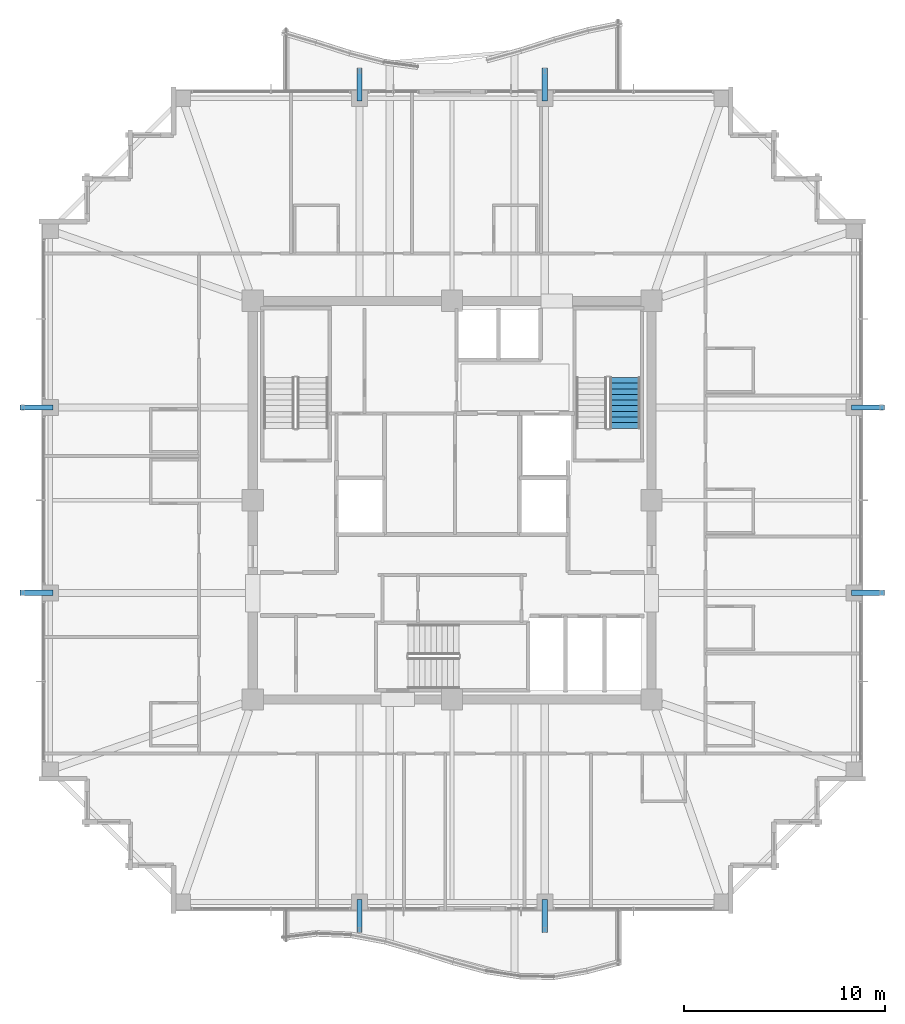
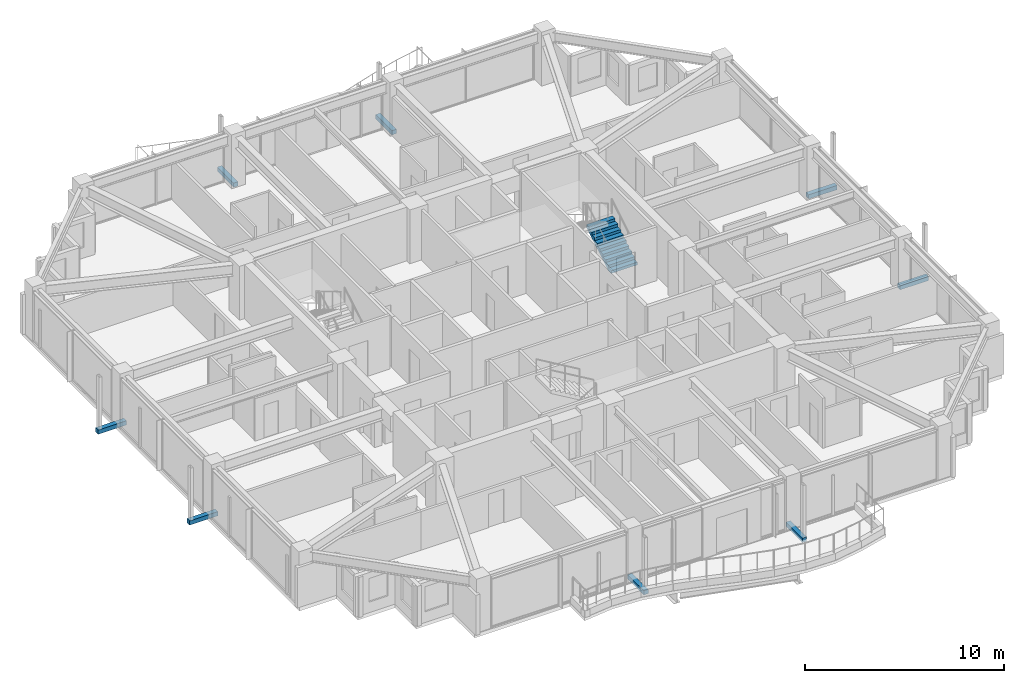
# One storey, part 36 of 38: 8 discrete accessories, 1 stair flight, 1 element without a shape of its own.
"""IFC4 building model written with IfcOpenShell, lengths in metres."""

from ifc_helpers import new_model, si_unit, direction, frame, origin, origin_2d, place, context, subcontext, project, spatial, polyline, rectangle, outline, extrude, material, type_object, element, aggregate, save


model = new_model("IFC4")

# Units and contexts
model_context = context("Model", 3, precision=1e-05, world=origin(), true_north=direction((0.0, 1.0)))
body_context = subcontext(model_context, "Body", "Model", "MODEL_VIEW")
ifc_project = project(units=[si_unit("LENGTHUNIT", "METRE"), si_unit("AREAUNIT", "SQUARE_METRE"), si_unit("VOLUMEUNIT", "CUBIC_METRE"), si_unit("PLANEANGLEUNIT", "RADIAN"), si_unit("MASSUNIT", "GRAM", prefix="KILO")], contexts=[model_context])

# Site, building, storey
site_placement = place(None, origin())
site = spatial("IfcSite", under=ifc_project, at=site_placement, CompositionType="ELEMENT")
building_placement = place(site_placement, origin())
building = spatial("IfcBuilding", under=site, at=building_placement, Name="Kolvaren Belvedere", CompositionType="ELEMENT")
storey_placement = place(building_placement, frame((0.0, 0.0, 213.0)))
storey = spatial("IfcBuildingStorey", under=building, at=storey_placement, Name="L62", CompositionType="ELEMENT", Elevation=213.0)

# Stair, stair flight
ifc_material_1 = material(Name="Concrete C50/60", Category="concrete")
stair_type = type_object("IfcStairType", Name="ST-CORE-1520", PredefinedType="HALF_TURN_STAIR", material=ifc_material_1)
stair_placement = place(storey_placement, origin())
stair = element("IfcStair", 1, at=stair_placement, inside=storey, type_object=stair_type, Name="L62 Protected Exit Stair ST-2", PredefinedType="HALF_TURN_STAIR")
ifc_material_2 = material(Name="Concrete C50/60", Category="concrete")
stair_flight_type = type_object("IfcStairFlightType", Name="SF-STR-1520", PredefinedType="STRAIGHT", material=ifc_material_2)
stair_flight_placement = place(storey_placement, frame((8.590087890625, 3.570068359375, 0.0), z_axis=(0.0, 0.0, 1.0), x_axis=(0.0, 1.0, 0.0)))
stair_flight = element("IfcStairFlight", 2, at=stair_flight_placement, type_object=stair_flight_type, Name="ST-2 flight 1", NumberOfRisers=10, NumberOfTreads=9, PredefinedType="STRAIGHT", RiserHeight=0.165, TreadLength=0.28, context=body_context, shape_type="SweptSolid", body=[
    extrude(outline(polyline([(0.0, 0.0), (0.0, 0.1650390625), (0.280029296875, 0.1650390625), (0.280029296875, 0.330078125), (0.56005859375, 0.330078125), (0.56005859375, 0.4951171875), (0.840087890625, 0.4951171875), (0.840087890625, 0.659912109375), (1.1201171875, 0.659912109375), (1.1201171875, 0.824951171875), (1.39990234375, 0.824951171875), (1.39990234375, 0.989990234375), (1.679931640625, 0.989990234375), (1.679931640625, 1.155029296875), (1.9599609375, 1.155029296875), (1.9599609375, 1.320068359375), (2.239990234375, 1.320068359375), (2.239990234375, 1.485107421875), (2.52001953125, 1.485107421875), (2.52001953125, 1.64990234375), (2.52001953125, 1.31103515625), (0.295166015625, 0.0), (0.0, 0.0)])), frame((0.0, 0.760009765625, 0.0), z_axis=(0.0, -1.0, 0.0), x_axis=(1.0, 0.0, 0.0)), (0.0, 0.0, 1.0), 1.52001953125),
])
aggregate(stair, [stair_flight])

# Discrete accessories
ifc_material_3 = material(Name="Structural steel ASTM A572 Grade 50", Category="steel")
discrete_accessory_type = type_object("IfcDiscreteAccessoryType", Name="BRK-1 Steel Facade Support Bracket", PredefinedType="BRACKET", material=ifc_material_3)
for number, where, z_axis, x_axis, name in (
    (3, (-4.60009765625, 20.635009765625, -0.169921875), (0.0, 0.0, 1.0), (0.0, 1.0, 0.0), "L62 Picture-Frame Outrigger Cleat Bracket N1"),
    (4, (4.60009765625, 20.635009765625, -0.169921875), (0.0, 0.0, 1.0), (0.0, 1.0, 0.0), "L62 Picture-Frame Outrigger Cleat Bracket N2"),
    (5, (4.60009765625, -20.635009765625, -0.169921875), (0.0, 0.0, 1.0), (0.0, 1.0, 0.0), "L62 Picture-Frame Outrigger Cleat Bracket S1"),
    (6, (-4.60009765625, -20.635009765625, -0.169921875), (0.0, 0.0, 1.0), (0.0, 1.0, 0.0), "L62 Picture-Frame Outrigger Cleat Bracket S2"),
    (7, (20.635009765625, 4.60009765625, -0.169921875), (0.0, 0.0, 1.0), (1.0, 0.0, 0.0), "L62 Picture-Frame Outrigger Cleat Bracket E1"),
    (8, (20.635009765625, -4.60009765625, -0.169921875), (0.0, 0.0, 1.0), (1.0, 0.0, 0.0), "L62 Picture-Frame Outrigger Cleat Bracket E2"),
    (9, (-20.635009765625, -4.60009765625, -0.169921875), (0.0, 0.0, 1.0), (1.0, 0.0, 0.0), "L62 Picture-Frame Outrigger Cleat Bracket W1"),
    (10, (-20.635009765625, 4.60009765625, -0.169921875), (0.0, 0.0, 1.0), (1.0, 0.0, 0.0), "L62 Picture-Frame Outrigger Cleat Bracket W2"),
):
    element("IfcDiscreteAccessory", number, at=place(storey_placement, frame(where, z_axis=z_axis, x_axis=x_axis)), inside=storey, type_object=discrete_accessory_type, Name=name, PredefinedType="BRACKET", context=body_context, shape_type="SweptSolid", body=[
        extrude(rectangle(XDim=1.639892578125, YDim=0.260009765625, at=origin_2d()), origin(), (0.0, 0.0, 1.0), 0.260009765625),
    ])

save(model, "model.ifc")
